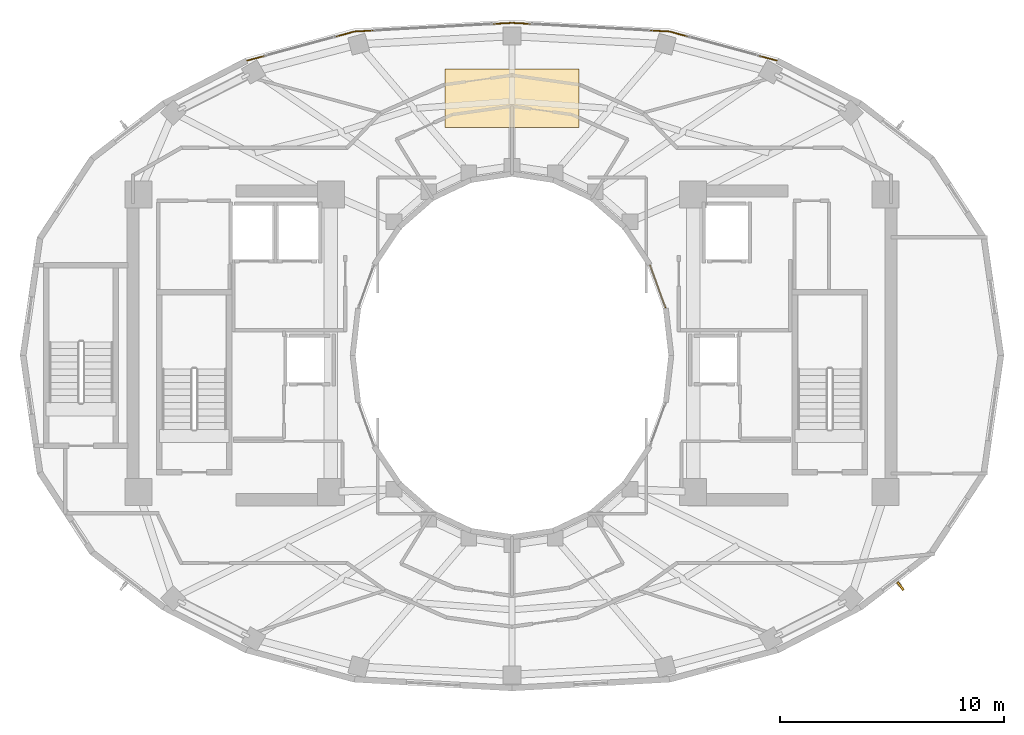
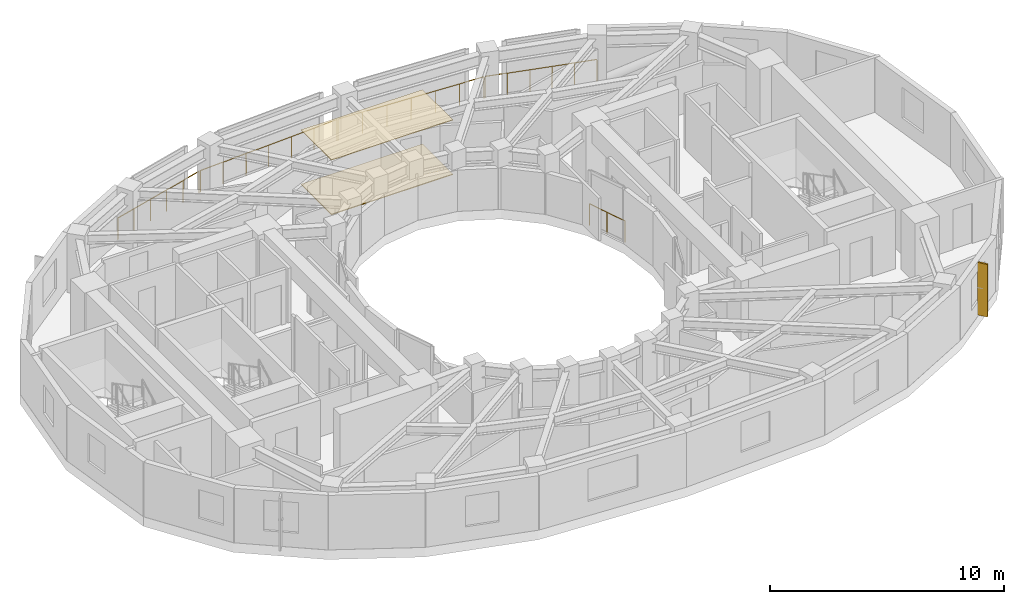
# One storey, part 18 of 19: 5 railings, 2 coverings, 1 shading device.
"""IFC4 building model written with IfcOpenShell, lengths in metres."""

from ifc_helpers import new_model, si_unit, direction, frame, origin, origin_2d, place, context, subcontext, project, spatial, polyline, rectangle, circle, outline, extrude, material, layer, layer_set, type_object, element, save


model = new_model("IFC4")

# Units and contexts
model_context = context("Model", 3, precision=1e-05, world=origin(), true_north=direction((0.0, 1.0)))
body_context = subcontext(model_context, "Body", "Model", "MODEL_VIEW")
ifc_project = project(units=[si_unit("LENGTHUNIT", "METRE"), si_unit("AREAUNIT", "SQUARE_METRE"), si_unit("VOLUMEUNIT", "CUBIC_METRE"), si_unit("PLANEANGLEUNIT", "RADIAN"), si_unit("MASSUNIT", "GRAM", prefix="KILO")], contexts=[model_context])

# Site, building, storey
site_placement = place(None, origin())
site = spatial("IfcSite", under=ifc_project, at=site_placement, CompositionType="ELEMENT")
building_placement = place(site_placement, origin())
building = spatial("IfcBuilding", under=site, at=building_placement, Name="Solvane Sanctuary Tower", CompositionType="ELEMENT")
storey_placement = place(building_placement, frame((0.0, 0.0, 201.60009765625)))
storey = spatial("IfcBuildingStorey", under=building, at=storey_placement, Name="L61", CompositionType="ELEMENT", Elevation=201.60009765625)

# Coverings
ifc_material_1 = material(Name="Acoustic Gypsum Partition Board")
ifc_layer_1 = layer(ifc_material_1, 0.02490234375, Name="Acoustic Gypsum Partition Board")
ifc_layer_set_1 = layer_set([ifc_layer_1], Name="Acoustic Gypsum Partition Board")
covering_type_1 = type_object("IfcCoveringType", Name="Covering CLG-ACOUST", PredefinedType="CEILING", material=ifc_layer_set_1)
covering_1_placement = place(storey_placement, frame((0.0, 0.0, 2.849853515625)))
element("IfcCovering", 1, at=covering_1_placement, inside=storey, type_object=covering_type_1, Name="L61 Sky Sanctuary Acoustic Ceiling", PredefinedType="CEILING", context=body_context, shape_type="SweptSolid", body=[
    extrude(outline(polyline([(29.0, 33.199951171875), (35.0, 33.199951171875), (35.0, 35.800048828125), (29.0, 35.800048828125), (29.0, 33.199951171875)])), origin(), (0.0, 0.0, 1.0), 0.030029296875),
])
ifc_material_2 = material(Name="Ceramic Tile Finish")
ifc_layer_2 = layer(ifc_material_2, 0.030029296875, Name="Ceramic Tile Finish")
ifc_layer_set_2 = layer_set([ifc_layer_2], Name="Ceramic Tile Finish")
covering_type_2 = type_object("IfcCoveringType", Name="Covering FLR-TERRAZZO", PredefinedType="FLOORING", material=ifc_layer_set_2)
covering_2_placement = place(storey_placement, origin())
element("IfcCovering", 2, at=covering_2_placement, inside=storey, type_object=covering_type_2, Name="L61 Sky Sanctuary Terrazzo Floor", PredefinedType="FLOORING", context=body_context, shape_type="SweptSolid", body=[
    extrude(outline(polyline([(29.0, 33.199951171875), (35.0, 33.199951171875), (35.0, 35.800048828125), (29.0, 35.800048828125), (29.0, 33.199951171875)])), origin(), (0.0, 0.0, 1.0), 0.039794921875),
])

# Railings
ifc_material_3 = material(Name="Architectural Stainless Steel 316", Category="steel")
railing_type_1 = type_object("IfcRailingType", Name="Railing GR-BALC-1150", PredefinedType="BALUSTRADE", material=ifc_material_3)
railing_1_placement = place(storey_placement, frame((43.841064453125, 36.184814453125, 0.0)))
element("IfcRailing", 3, at=railing_1_placement, inside=storey, type_object=railing_type_1, Name="L61 Curtain-Wall Perimeter Sill Guard 04", PredefinedType="BALUSTRADE", context=body_context, shape_type="SweptSolid", body=[
    extrude(circle(Radius=0.02392578125, at=origin_2d()), frame((0.0, 0.0, 1.1259765625), z_axis=(-0.965207148119, 0.261486445574, 0.0), x_axis=(-0.261486445574, -0.965207148119, 0.0)), (0.0, 0.0, 1.0), 4.94091796875),
    extrude(circle(Radius=0.02099609375, at=origin_2d()), origin(), (0.0, 0.0, 1.0), 1.101806640625),
    extrude(circle(Radius=0.02099609375, at=origin_2d()), frame((-0.953857421875, 0.25830078125, 0.0)), (0.0, 0.0, 1.0), 1.101806640625),
    extrude(circle(Radius=0.02099609375, at=origin_2d()), frame((-1.90771484375, 0.516845703125, 0.0)), (0.0, 0.0, 1.0), 1.101806640625),
    extrude(circle(Radius=0.02099609375, at=origin_2d()), frame((-2.861328125, 0.775146484375, 0.0)), (0.0, 0.0, 1.0), 1.101806640625),
    extrude(circle(Radius=0.02099609375, at=origin_2d()), frame((-3.815185546875, 1.03369140625, 0.0)), (0.0, 0.0, 1.0), 1.101806640625),
    extrude(circle(Radius=0.02099609375, at=origin_2d()), frame((-4.76904296875, 1.2919921875, 0.0)), (0.0, 0.0, 1.0), 1.101806640625),
])
railing_2_placement = place(storey_placement, frame((39.012939453125, 37.486328125, 0.0)))
element("IfcRailing", 4, at=railing_2_placement, inside=storey, type_object=railing_type_1, Name="L61 Curtain-Wall Perimeter Sill Guard 05", PredefinedType="BALUSTRADE", context=body_context, shape_type="SweptSolid", body=[
    extrude(circle(Radius=0.02392578125, at=origin_2d()), frame((0.0, 0.0, 1.1259765625), z_axis=(-0.998491133417, 0.054913172256, 0.0), x_axis=(-0.054913172256, -0.998491133417, 0.0)), (0.0, 0.0, 1.0), 6.993408203125),
    extrude(circle(Radius=0.02099609375, at=origin_2d()), origin(), (0.0, 0.0, 1.0), 1.101806640625),
    extrude(circle(Radius=0.02099609375, at=origin_2d()), frame((-1.163818359375, 0.06396484375, 0.0)), (0.0, 0.0, 1.0), 1.101806640625),
    extrude(circle(Radius=0.02099609375, at=origin_2d()), frame((-2.32763671875, 0.1279296875, 0.0)), (0.0, 0.0, 1.0), 1.101806640625),
    extrude(circle(Radius=0.02099609375, at=origin_2d()), frame((-3.491455078125, 0.19189453125, 0.0)), (0.0, 0.0, 1.0), 1.101806640625),
    extrude(circle(Radius=0.02099609375, at=origin_2d()), frame((-4.6552734375, 0.256103515625, 0.0)), (0.0, 0.0, 1.0), 1.101806640625),
    extrude(circle(Radius=0.02099609375, at=origin_2d()), frame((-5.819091796875, 0.320068359375, 0.0)), (0.0, 0.0, 1.0), 1.101806640625),
    extrude(circle(Radius=0.02099609375, at=origin_2d()), frame((-6.98291015625, 0.384033203125, 0.0)), (0.0, 0.0, 1.0), 1.101806640625),
])
railing_3_placement = place(storey_placement, frame((31.969970703125, 37.870361328125, 0.0)))
element("IfcRailing", 5, at=railing_3_placement, inside=storey, type_object=railing_type_1, Name="L61 Curtain-Wall Perimeter Sill Guard 06", PredefinedType="BALUSTRADE", context=body_context, shape_type="SweptSolid", body=[
    extrude(circle(Radius=0.02392578125, at=origin_2d()), frame((0.0, 0.0, 1.1259765625), z_axis=(-0.998491133417, -0.054913172256, 0.0), x_axis=(0.054913172256, -0.998491133417, 0.0)), (0.0, 0.0, 1.0), 6.993408203125),
    extrude(circle(Radius=0.02099609375, at=origin_2d()), origin(), (0.0, 0.0, 1.0), 1.101806640625),
    extrude(circle(Radius=0.02099609375, at=origin_2d()), frame((-1.163818359375, -0.06396484375, 0.0)), (0.0, 0.0, 1.0), 1.101806640625),
    extrude(circle(Radius=0.02099609375, at=origin_2d()), frame((-2.32763671875, -0.1279296875, 0.0)), (0.0, 0.0, 1.0), 1.101806640625),
    extrude(circle(Radius=0.02099609375, at=origin_2d()), frame((-3.491455078125, -0.19189453125, 0.0)), (0.0, 0.0, 1.0), 1.101806640625),
    extrude(circle(Radius=0.02099609375, at=origin_2d()), frame((-4.6552734375, -0.256103515625, 0.0)), (0.0, 0.0, 1.0), 1.101806640625),
    extrude(circle(Radius=0.02099609375, at=origin_2d()), frame((-5.819091796875, -0.320068359375, 0.0)), (0.0, 0.0, 1.0), 1.101806640625),
    extrude(circle(Radius=0.02099609375, at=origin_2d()), frame((-6.98291015625, -0.384033203125, 0.0)), (0.0, 0.0, 1.0), 1.101806640625),
])
railing_4_placement = place(storey_placement, frame((24.927978515625, 37.476806640625, 0.0)))
element("IfcRailing", 6, at=railing_4_placement, inside=storey, type_object=railing_type_1, Name="L61 Curtain-Wall Perimeter Sill Guard 07", PredefinedType="BALUSTRADE", context=body_context, shape_type="SweptSolid", body=[
    extrude(circle(Radius=0.02392578125, at=origin_2d()), frame((0.0, 0.0, 1.1259765625), z_axis=(-0.965207148119, -0.261486445574, 0.0), x_axis=(0.261486445574, -0.965207148119, 0.0)), (0.0, 0.0, 1.0), 4.94091796875),
    extrude(circle(Radius=0.02099609375, at=origin_2d()), origin(), (0.0, 0.0, 1.0), 1.101806640625),
    extrude(circle(Radius=0.02099609375, at=origin_2d()), frame((-0.953857421875, -0.25830078125, 0.0)), (0.0, 0.0, 1.0), 1.101806640625),
    extrude(circle(Radius=0.02099609375, at=origin_2d()), frame((-1.90771484375, -0.516845703125, 0.0)), (0.0, 0.0, 1.0), 1.101806640625),
    extrude(circle(Radius=0.02099609375, at=origin_2d()), frame((-2.861328125, -0.775146484375, 0.0)), (0.0, 0.0, 1.0), 1.101806640625),
    extrude(circle(Radius=0.02099609375, at=origin_2d()), frame((-3.815185546875, -1.03369140625, 0.0)), (0.0, 0.0, 1.0), 1.101806640625),
    extrude(circle(Radius=0.02099609375, at=origin_2d()), frame((-4.76904296875, -1.2919921875, 0.0)), (0.0, 0.0, 1.0), 1.101806640625),
])
railing_type_2 = type_object("IfcRailingType", Name="Railing GR-WELL-1150", PredefinedType="GUARDRAIL", material=ifc_material_3)
railing_5_placement = place(storey_placement, frame((38.8603515625, 25.148681640625, 0.0)))
element("IfcRailing", 7, at=railing_5_placement, inside=storey, type_object=railing_type_2, Name="L61 Light-Well Glazing Sill Guard 01", PredefinedType="GUARDRAIL", context=body_context, shape_type="SweptSolid", body=[
    extrude(circle(Radius=0.02392578125, at=origin_2d()), frame((0.0, 0.0, 1.1259765625), z_axis=(-0.341446556351, 0.939901191166, 0.0), x_axis=(-0.939901191166, -0.341446556351, 0.0)), (0.0, 0.0, 1.0), 1.9833984375),
    extrude(circle(Radius=0.02099609375, at=origin_2d()), origin(), (0.0, 0.0, 1.0), 1.101806640625),
    extrude(circle(Radius=0.02099609375, at=origin_2d()), frame((-0.338623046875, 0.93212890625, 0.0)), (0.0, 0.0, 1.0), 1.101806640625),
    extrude(circle(Radius=0.02099609375, at=origin_2d()), frame((-0.67724609375, 1.8642578125, 0.0)), (0.0, 0.0, 1.0), 1.101806640625),
])

# Shading device
ifc_material_4 = material(Name="Anodised Aluminium 6063-T6", Category="aluminium")
ifc_layer_3 = layer(ifc_material_4, 0.080078125, Name="Anodised Aluminium 6063-T6")
ifc_layer_set_3 = layer_set([ifc_layer_3], Name="Anodised Aluminium 6063-T6")
shading_device_type = type_object("IfcShadingDeviceType", Name="Shading SHD-FIN", PredefinedType="USERDEFINED", material=ifc_layer_set_3)
shading_device_placement = place(storey_placement, frame((49.36669921875, 12.689697265625, 0.0498046875), z_axis=(0.0, 0.0, 1.0), x_axis=(0.792707964296, 0.609601577542, 0.0)))
element("IfcShadingDevice", 8, at=shading_device_placement, inside=storey, type_object=shading_device_type, Name="L61 Aerodynamic Vertical Fin 21", ObjectType="FIN", PredefinedType="USERDEFINED", context=body_context, shape_type="SweptSolid", body=[
    extrude(rectangle(XDim=0.080078125, YDim=0.449951171875, at=origin_2d()), origin(), (0.0, 0.0, 1.0), 2.75),
])

save(model, "model.ifc")
